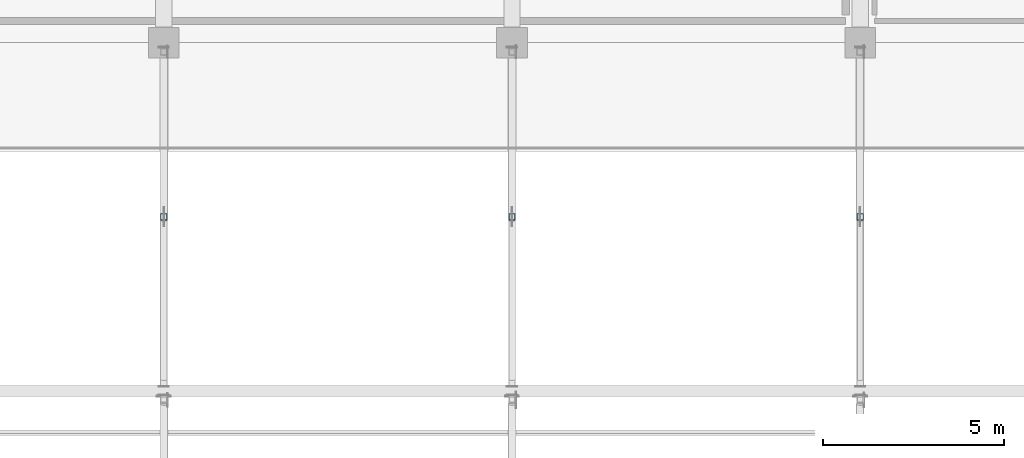
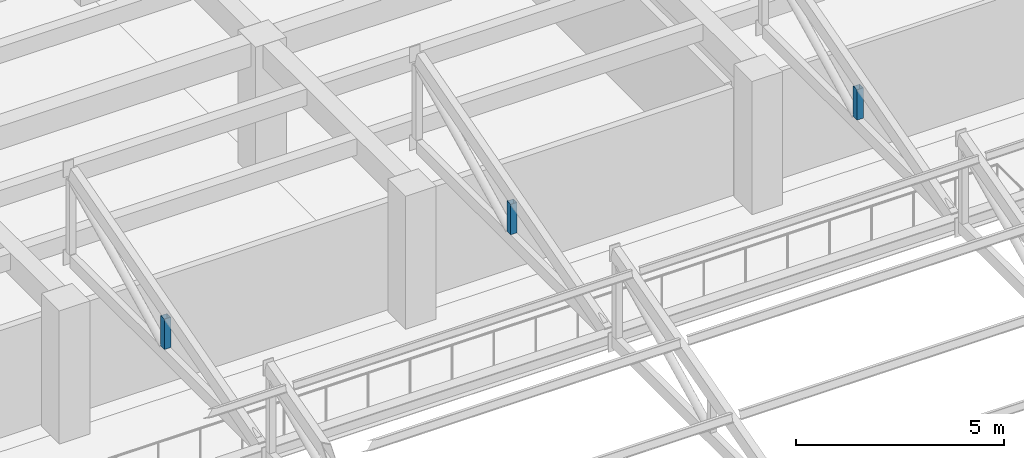
# One storey, part 33 of 58: 3 members.
"""IFC4 building model written with IfcOpenShell, lengths in metres."""

from ifc_helpers import new_model, si_unit, direction, frame, origin, origin_2d, place, context, subcontext, project, spatial, hollow_rectangle, extrude, material, material_profile, profile_set, type_object, element, save


model = new_model("IFC4")

# Units and contexts
model_context = context("Model", 3, precision=1e-05, world=origin(), true_north=direction((0.0, 1.0)))
body_context = subcontext(model_context, "Body", "Model", "MODEL_VIEW")
ifc_project = project(units=[si_unit("LENGTHUNIT", "METRE"), si_unit("AREAUNIT", "SQUARE_METRE"), si_unit("VOLUMEUNIT", "CUBIC_METRE"), si_unit("PLANEANGLEUNIT", "RADIAN"), si_unit("MASSUNIT", "GRAM", prefix="KILO")], contexts=[model_context])

# Site, building, storey
site_placement = place(None, origin())
site = spatial("IfcSite", under=ifc_project, at=site_placement, CompositionType="ELEMENT")
building_placement = place(site_placement, origin())
building = spatial("IfcBuilding", under=site, at=building_placement, Name="Bempovik Park Faculty of Sciences", CompositionType="ELEMENT")
storey_placement = place(building_placement, frame((0.0, 0.0, 18.300048828125)))
storey = spatial("IfcBuildingStorey", under=building, at=storey_placement, Name="L04", CompositionType="ELEMENT", Elevation=18.300048828125)

# Members
ifc_material = material(Name="Steel S355", Category="steel")
ifc_material_profile = material_profile(ifc_material, hollow_rectangle(XDim=0.179931640625, YDim=0.179931640625, WallThickness=0.008056640625, at=origin_2d()), Name="SHS 180x180x8")
ifc_profile_set = profile_set([ifc_material_profile], Name="Steel S355")
member_type = type_object("IfcMemberType", Name="M-40 SHS 180x180x8", PredefinedType="POST", material=ifc_profile_set)
for number, where, z_axis, x_axis, name in (
    (1, (79.199951171875, 82.199951171875, 5.36083984375), (0.0, 0.0, 1.0), (1.0, 0.0, 0.0), "Sawtooth Mid Post V2-B2 (79.2)"),
    (2, (88.800048828125, 82.199951171875, 5.36083984375), (0.0, 0.0, 1.0), (1.0, 0.0, 0.0), "Sawtooth Mid Post V2-B2 (88.8)"),
    (3, (98.39990234375, 82.199951171875, 5.36083984375), (0.0, 0.0, 1.0), (1.0, 0.0, 0.0), "Sawtooth Mid Post V2-B2 (98.4)"),
):
    element("IfcMember", number, at=place(storey_placement, frame(where, z_axis=z_axis, x_axis=x_axis)), inside=storey, type_object=member_type, Name=name, PredefinedType="POST", context=body_context, shape_type="SweptSolid", body=[
        extrude(hollow_rectangle(XDim=0.179931640625, YDim=0.179931640625, WallThickness=0.008056640625, at=origin_2d()), origin(), (0.0, 0.0, 1.0), 0.8876953125),
    ])

save(model, "model.ifc")
